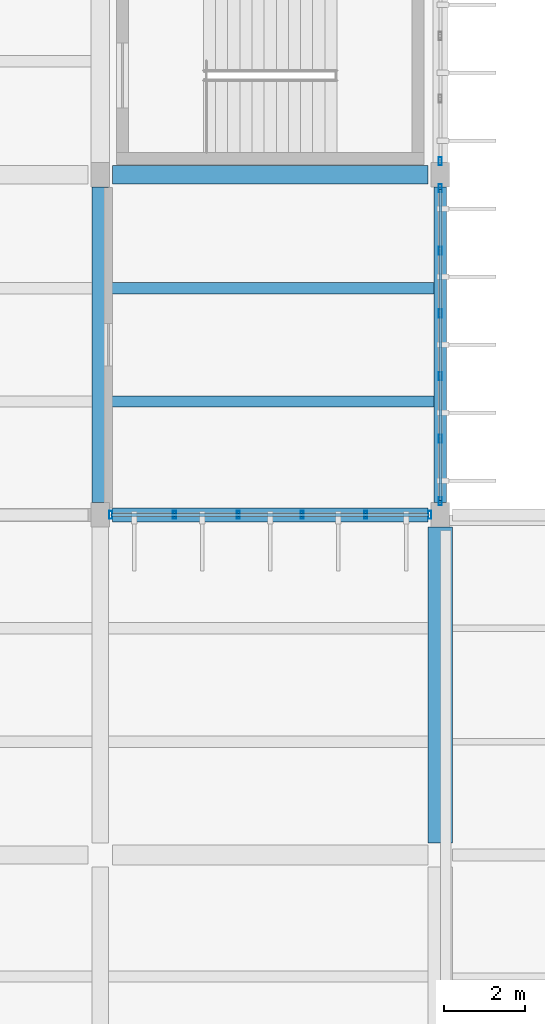
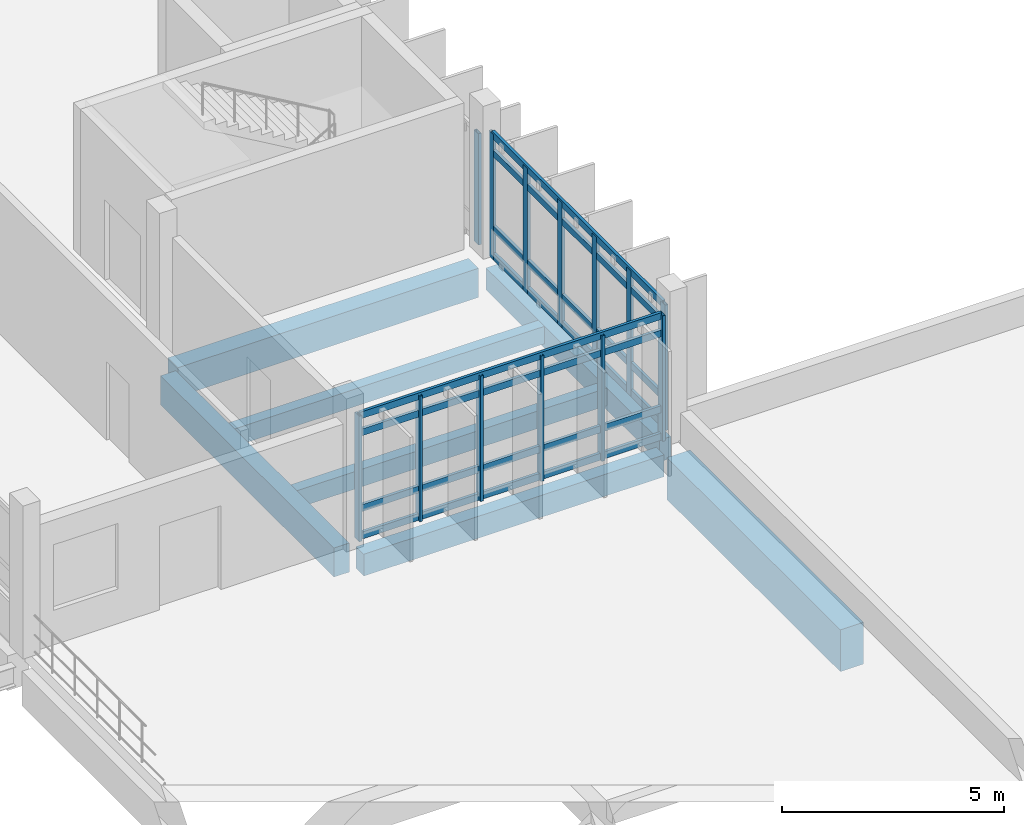
# One storey, part 15 of 107: 21 members, 7 beams, 3 elements without a shape of their own.
"""IFC4 building model written with IfcOpenShell, lengths in metres."""

from ifc_helpers import new_model, si_unit, direction, frame, origin, origin_2d, place, context, subcontext, project, spatial, rectangle, hollow_rectangle, extrude, material, layer, layer_set, material_profile, profile_set, type_object, element, aggregate, save


model = new_model("IFC4")

# Units and contexts
model_context = context("Model", 3, precision=1e-05, world=origin(), true_north=direction((0.0, 1.0)))
body_context = subcontext(model_context, "Body", "Model", "MODEL_VIEW")
ifc_project = project(units=[si_unit("LENGTHUNIT", "METRE"), si_unit("AREAUNIT", "SQUARE_METRE"), si_unit("VOLUMEUNIT", "CUBIC_METRE"), si_unit("PLANEANGLEUNIT", "RADIAN"), si_unit("MASSUNIT", "GRAM", prefix="KILO")], contexts=[model_context])

# Site, building, storey
site_placement = place(None, origin())
site = spatial("IfcSite", under=ifc_project, at=site_placement, CompositionType="ELEMENT")
building_placement = place(site_placement, origin())
building = spatial("IfcBuilding", under=site, at=building_placement, Name="Vireocrest Preparatory School", CompositionType="ELEMENT")
storey_placement = place(building_placement, frame((0.0, 0.0, 13.199951171875)))
storey = spatial("IfcBuildingStorey", under=building, at=storey_placement, Name="L03", CompositionType="ELEMENT", Elevation=13.199951171875)

# Curtain wall, members
ifc_material_1 = material(Name="Thermally broken aluminium EN AW-6063-T6", Category="aluminium")
ifc_layer_1 = layer(ifc_material_1, 0.179931640625)
ifc_layer_set_1 = layer_set([ifc_layer_1], Name="Thermally broken aluminium EN AW-6063-T6")
curtain_wall_type_1 = type_object("IfcCurtainWallType", Name="Library Reading Bay Glazing 7600x4200", PredefinedType="USERDEFINED", material=ifc_layer_set_1)
curtain_wall_1_placement = place(storey_placement, origin())
curtain_wall_1 = element("IfcCurtainWall", 1, at=curtain_wall_1_placement, inside=storey, type_object=curtain_wall_type_1, Name="Curtain Wall CW16 CW_L03_CW16_1010_0354_132", ObjectType="CURTAIN WALL", PredefinedType="USERDEFINED")
ifc_material_profile_1 = material_profile(ifc_material_1, hollow_rectangle(XDim=0.074951171875, YDim=0.199951171875, WallThickness=0.0048828125, at=origin_2d()), Name="ALU 75x200x5")
ifc_profile_set_1 = profile_set([ifc_material_profile_1], Name="Thermally broken aluminium EN AW-6063-T6")
member_type_1 = type_object("IfcMemberType", Name="CW Mullion 75x200x5", PredefinedType="MULLION", material=ifc_profile_set_1)
member_1_placement = place(storey_placement, frame((101.06005859375, 35.39990234375, 0.0), z_axis=(0.0, 0.0, 1.0), x_axis=(1.0, 0.0, 0.0)))
member_1 = element("IfcMember", 2, at=member_1_placement, type_object=member_type_1, Name="CW Mullion ML3 CW_L03_CW16_1010_0354_132-1", PredefinedType="MULLION", context=body_context, shape_type="SweptSolid", body=[
    extrude(hollow_rectangle(XDim=0.074951171875, YDim=0.199951171875, WallThickness=0.0048828125, at=origin_2d()), origin(), (0.0, 0.0, 1.0), 3.445068359375),
])
member_2_placement = place(storey_placement, frame((102.635986328125, 35.39990234375, 0.0), z_axis=(0.0, 0.0, 1.0), x_axis=(1.0, 0.0, 0.0)))
member_2 = element("IfcMember", 3, at=member_2_placement, type_object=member_type_1, Name="CW Mullion ML3 CW_L03_CW16_1010_0354_132-2", PredefinedType="MULLION", context=body_context, shape_type="SweptSolid", body=[
    extrude(hollow_rectangle(XDim=0.074951171875, YDim=0.199951171875, WallThickness=0.0048828125, at=origin_2d()), origin(), (0.0, 0.0, 1.0), 3.445068359375),
])
member_3_placement = place(storey_placement, frame((104.2119140625, 35.39990234375, 0.0), z_axis=(0.0, 0.0, 1.0), x_axis=(1.0, 0.0, 0.0)))
member_3 = element("IfcMember", 4, at=member_3_placement, type_object=member_type_1, Name="CW Mullion ML3 CW_L03_CW16_1010_0354_132-3", PredefinedType="MULLION", context=body_context, shape_type="SweptSolid", body=[
    extrude(hollow_rectangle(XDim=0.074951171875, YDim=0.199951171875, WallThickness=0.0048828125, at=origin_2d()), origin(), (0.0, 0.0, 1.0), 3.445068359375),
])
member_4_placement = place(storey_placement, frame((105.7880859375, 35.39990234375, 0.0), z_axis=(0.0, 0.0, 1.0), x_axis=(1.0, 0.0, 0.0)))
member_4 = element("IfcMember", 5, at=member_4_placement, type_object=member_type_1, Name="CW Mullion ML3 CW_L03_CW16_1010_0354_132-4", PredefinedType="MULLION", context=body_context, shape_type="SweptSolid", body=[
    extrude(hollow_rectangle(XDim=0.074951171875, YDim=0.199951171875, WallThickness=0.0048828125, at=origin_2d()), origin(), (0.0, 0.0, 1.0), 3.445068359375),
])
member_5_placement = place(storey_placement, frame((107.364013671875, 35.39990234375, 0.0), z_axis=(0.0, 0.0, 1.0), x_axis=(1.0, 0.0, 0.0)))
member_5 = element("IfcMember", 6, at=member_5_placement, type_object=member_type_1, Name="CW Mullion ML3 CW_L03_CW16_1010_0354_132-5", PredefinedType="MULLION", context=body_context, shape_type="SweptSolid", body=[
    extrude(hollow_rectangle(XDim=0.074951171875, YDim=0.199951171875, WallThickness=0.0048828125, at=origin_2d()), origin(), (0.0, 0.0, 1.0), 3.445068359375),
])
member_6_placement = place(storey_placement, frame((108.93994140625, 35.39990234375, 0.0), z_axis=(0.0, 0.0, 1.0), x_axis=(1.0, 0.0, 0.0)))
member_6 = element("IfcMember", 7, at=member_6_placement, type_object=member_type_1, Name="CW Mullion ML3 CW_L03_CW16_1010_0354_132-6", PredefinedType="MULLION", context=body_context, shape_type="SweptSolid", body=[
    extrude(hollow_rectangle(XDim=0.074951171875, YDim=0.199951171875, WallThickness=0.0048828125, at=origin_2d()), origin(), (0.0, 0.0, 1.0), 3.445068359375),
])

ifc_layer_2 = layer(ifc_material_1, 0.179931640625)
ifc_layer_set_2 = layer_set([ifc_layer_2], Name="Thermally broken aluminium EN AW-6063-T6")
curtain_wall_type_2 = type_object("IfcCurtainWallType", Name="Teaching Fin Curtain Wall 8400x4200", PredefinedType="USERDEFINED", material=ifc_layer_set_2)
curtain_wall_2_placement = place(storey_placement, origin())
curtain_wall_2 = element("IfcCurtainWall", 8, at=curtain_wall_2_placement, inside=storey, type_object=curtain_wall_type_2, Name="Curtain Wall CW03 CW_L03_CW03_1092_0357_132", ObjectType="CURTAIN WALL", PredefinedType="USERDEFINED")
member_7_placement = place(storey_placement, frame((109.199951171875, 35.735107421875, 0.0), z_axis=(0.0, 0.0, 1.0), x_axis=(1.0, 0.0, 0.0)))
member_7 = element("IfcMember", 9, at=member_7_placement, type_object=member_type_1, Name="CW Mullion ML3 CW_L03_CW03_1092_0357_132-1", PredefinedType="MULLION", context=body_context, shape_type="SweptSolid", body=[
    extrude(hollow_rectangle(XDim=0.074951171875, YDim=0.199951171875, WallThickness=0.0048828125, at=origin_2d()), origin(), (0.0, 0.0, 1.0), 3.445068359375),
])
member_8_placement = place(storey_placement, frame((109.199951171875, 37.281005859375, 0.0), z_axis=(0.0, 0.0, 1.0), x_axis=(1.0, 0.0, 0.0)))
member_8 = element("IfcMember", 10, at=member_8_placement, type_object=member_type_1, Name="CW Mullion ML3 CW_L03_CW03_1092_0357_132-2", PredefinedType="MULLION", context=body_context, shape_type="SweptSolid", body=[
    extrude(hollow_rectangle(XDim=0.074951171875, YDim=0.199951171875, WallThickness=0.0048828125, at=origin_2d()), origin(), (0.0, 0.0, 1.0), 3.445068359375),
])
member_9_placement = place(storey_placement, frame((109.199951171875, 38.826904296875, 0.0), z_axis=(0.0, 0.0, 1.0), x_axis=(1.0, 0.0, 0.0)))
member_9 = element("IfcMember", 11, at=member_9_placement, type_object=member_type_1, Name="CW Mullion ML3 CW_L03_CW03_1092_0357_132-3", PredefinedType="MULLION", context=body_context, shape_type="SweptSolid", body=[
    extrude(hollow_rectangle(XDim=0.074951171875, YDim=0.199951171875, WallThickness=0.0048828125, at=origin_2d()), origin(), (0.0, 0.0, 1.0), 3.445068359375),
])
member_10_placement = place(storey_placement, frame((109.199951171875, 40.373046875, 0.0), z_axis=(0.0, 0.0, 1.0), x_axis=(1.0, 0.0, 0.0)))
member_10 = element("IfcMember", 12, at=member_10_placement, type_object=member_type_1, Name="CW Mullion ML3 CW_L03_CW03_1092_0357_132-4", PredefinedType="MULLION", context=body_context, shape_type="SweptSolid", body=[
    extrude(hollow_rectangle(XDim=0.074951171875, YDim=0.199951171875, WallThickness=0.0048828125, at=origin_2d()), origin(), (0.0, 0.0, 1.0), 3.445068359375),
])
member_11_placement = place(storey_placement, frame((109.199951171875, 41.9189453125, 0.0), z_axis=(0.0, 0.0, 1.0), x_axis=(1.0, 0.0, 0.0)))
member_11 = element("IfcMember", 13, at=member_11_placement, type_object=member_type_1, Name="CW Mullion ML3 CW_L03_CW03_1092_0357_132-5", PredefinedType="MULLION", context=body_context, shape_type="SweptSolid", body=[
    extrude(hollow_rectangle(XDim=0.074951171875, YDim=0.199951171875, WallThickness=0.0048828125, at=origin_2d()), origin(), (0.0, 0.0, 1.0), 3.445068359375),
])
member_12_placement = place(storey_placement, frame((109.199951171875, 43.465087890625, 0.0), z_axis=(0.0, 0.0, 1.0), x_axis=(1.0, 0.0, 0.0)))
member_12 = element("IfcMember", 14, at=member_12_placement, type_object=member_type_1, Name="CW Mullion ML3 CW_L03_CW03_1092_0357_132-6", PredefinedType="MULLION", context=body_context, shape_type="SweptSolid", body=[
    extrude(hollow_rectangle(XDim=0.074951171875, YDim=0.199951171875, WallThickness=0.0048828125, at=origin_2d()), origin(), (0.0, 0.0, 1.0), 3.445068359375),
])

# Curtain wall, member
curtain_wall_3_placement = place(storey_placement, origin())
curtain_wall_3 = element("IfcCurtainWall", 15, at=curtain_wall_3_placement, inside=storey, type_object=curtain_wall_type_2, Name="Curtain Wall CW03 CW_L03_CW03_1092_0441_132", ObjectType="CURTAIN WALL", PredefinedType="USERDEFINED")
member_13_placement = place(storey_placement, frame((109.199951171875, 44.135009765625, 0.0), z_axis=(0.0, 0.0, 1.0), x_axis=(1.0, 0.0, 0.0)))
member_13 = element("IfcMember", 16, at=member_13_placement, type_object=member_type_1, Name="CW Mullion ML3 CW_L03_CW03_1092_0441_132-1", PredefinedType="MULLION", context=body_context, shape_type="SweptSolid", body=[
    extrude(hollow_rectangle(XDim=0.074951171875, YDim=0.199951171875, WallThickness=0.0048828125, at=origin_2d()), origin(), (0.0, 0.0, 1.0), 3.054931640625),
])
aggregate(curtain_wall_3, [member_13])

# Member
ifc_material_profile_2 = material_profile(ifc_material_1, hollow_rectangle(XDim=0.074951171875, YDim=0.18994140625, WallThickness=0.00390625, at=origin_2d()), Name="ALU 75x190x4")
ifc_profile_set_2 = profile_set([ifc_material_profile_2], Name="Thermally broken aluminium EN AW-6063-T6")
member_type_2 = type_object("IfcMemberType", Name="CW Transom 75x190x4", PredefinedType="USERDEFINED", material=ifc_profile_set_2)
member_14_placement = place(storey_placement, frame((101.0849609375, 35.39990234375, 0.094970703125), z_axis=(1.0, 0.0, 0.0), x_axis=(0.0, 1.0, 0.0)))
member_14 = element("IfcMember", 17, at=member_14_placement, type_object=member_type_2, Name="CW Transom TR3 CW_L03_CW16_1010_0354_132-1", ObjectType="TRANSOM", PredefinedType="USERDEFINED", context=body_context, shape_type="SweptSolid", body=[
    extrude(hollow_rectangle(XDim=0.074951171875, YDim=0.18994140625, WallThickness=0.00390625, at=origin_2d()), origin(), (0.0, 0.0, 1.0), 7.830078125),
])

member_15_placement = place(storey_placement, frame((101.0849609375, 35.39990234375, 0.85009765625), z_axis=(1.0, 0.0, 0.0), x_axis=(0.0, 1.0, 0.0)))
member_15 = element("IfcMember", 18, at=member_15_placement, type_object=member_type_2, Name="CW Transom TR3 CW_L03_CW16_1010_0354_132-2", ObjectType="TRANSOM", PredefinedType="USERDEFINED", context=body_context, shape_type="SweptSolid", body=[
    extrude(hollow_rectangle(XDim=0.074951171875, YDim=0.18994140625, WallThickness=0.00390625, at=origin_2d()), origin(), (0.0, 0.0, 1.0), 7.830078125),
])

member_16_placement = place(storey_placement, frame((101.0849609375, 35.39990234375, 2.929931640625), z_axis=(1.0, 0.0, 0.0), x_axis=(0.0, 1.0, 0.0)))
member_16 = element("IfcMember", 19, at=member_16_placement, type_object=member_type_2, Name="CW Transom TR3 CW_L03_CW16_1010_0354_132-3", ObjectType="TRANSOM", PredefinedType="USERDEFINED", context=body_context, shape_type="SweptSolid", body=[
    extrude(hollow_rectangle(XDim=0.074951171875, YDim=0.18994140625, WallThickness=0.00390625, at=origin_2d()), origin(), (0.0, 0.0, 1.0), 7.830078125),
])

member_17_placement = place(storey_placement, frame((101.0849609375, 35.39990234375, 3.405029296875), z_axis=(1.0, 0.0, 0.0), x_axis=(0.0, 1.0, 0.0)))
member_17 = element("IfcMember", 20, at=member_17_placement, type_object=member_type_2, Name="CW Transom TR3 CW_L03_CW16_1010_0354_132-4", ObjectType="TRANSOM", PredefinedType="USERDEFINED", context=body_context, shape_type="SweptSolid", body=[
    extrude(hollow_rectangle(XDim=0.074951171875, YDim=0.18994140625, WallThickness=0.00390625, at=origin_2d()), origin(), (0.0, 0.0, 1.0), 7.830078125),
])

aggregate(curtain_wall_1, [member_1, member_2, member_3, member_4, member_5, member_6, member_14, member_15, member_16, member_17])

member_18_placement = place(storey_placement, frame((109.199951171875, 35.760009765625, 0.094970703125), z_axis=(0.0, 1.0, 0.0), x_axis=(-1.0, 0.0, 0.0)))
member_18 = element("IfcMember", 21, at=member_18_placement, type_object=member_type_2, Name="CW Transom TR3 CW_L03_CW03_1092_0357_132-1", ObjectType="TRANSOM", PredefinedType="USERDEFINED", context=body_context, shape_type="SweptSolid", body=[
    extrude(hollow_rectangle(XDim=0.074951171875, YDim=0.18994140625, WallThickness=0.00390625, at=origin_2d()), origin(), (0.0, 0.0, 1.0), 7.679931640625),
])

member_19_placement = place(storey_placement, frame((109.199951171875, 35.760009765625, 0.85009765625), z_axis=(0.0, 1.0, 0.0), x_axis=(-1.0, 0.0, 0.0)))
member_19 = element("IfcMember", 22, at=member_19_placement, type_object=member_type_2, Name="CW Transom TR3 CW_L03_CW03_1092_0357_132-2", ObjectType="TRANSOM", PredefinedType="USERDEFINED", context=body_context, shape_type="SweptSolid", body=[
    extrude(hollow_rectangle(XDim=0.074951171875, YDim=0.18994140625, WallThickness=0.00390625, at=origin_2d()), origin(), (0.0, 0.0, 1.0), 7.679931640625),
])

member_20_placement = place(storey_placement, frame((109.199951171875, 35.760009765625, 2.929931640625), z_axis=(0.0, 1.0, 0.0), x_axis=(-1.0, 0.0, 0.0)))
member_20 = element("IfcMember", 23, at=member_20_placement, type_object=member_type_2, Name="CW Transom TR3 CW_L03_CW03_1092_0357_132-3", ObjectType="TRANSOM", PredefinedType="USERDEFINED", context=body_context, shape_type="SweptSolid", body=[
    extrude(hollow_rectangle(XDim=0.074951171875, YDim=0.18994140625, WallThickness=0.00390625, at=origin_2d()), origin(), (0.0, 0.0, 1.0), 7.679931640625),
])

member_21_placement = place(storey_placement, frame((109.199951171875, 35.760009765625, 3.405029296875), z_axis=(0.0, 1.0, 0.0), x_axis=(-1.0, 0.0, 0.0)))
member_21 = element("IfcMember", 24, at=member_21_placement, type_object=member_type_2, Name="CW Transom TR3 CW_L03_CW03_1092_0357_132-4", ObjectType="TRANSOM", PredefinedType="USERDEFINED", context=body_context, shape_type="SweptSolid", body=[
    extrude(hollow_rectangle(XDim=0.074951171875, YDim=0.18994140625, WallThickness=0.00390625, at=origin_2d()), origin(), (0.0, 0.0, 1.0), 7.679931640625),
])

aggregate(curtain_wall_2, [member_7, member_8, member_9, member_10, member_11, member_12, member_18, member_19, member_20, member_21])

# Beams
ifc_material_2 = material(Name="Concrete 40 MPa", Category="concrete")
ifc_material_profile_3 = material_profile(ifc_material_2, rectangle(XDim=0.300048828125, YDim=0.60009765625, at=origin_2d()), Name="RC 300x600")
ifc_profile_set_3 = profile_set([ifc_material_profile_3], Name="Concrete 40 MPa")
beam_type_1 = type_object("IfcBeamType", Name="RC Classroom Beam 300x600", PredefinedType="BEAM", material=ifc_profile_set_3)
beam_1_placement = place(storey_placement, frame((109.199951171875, 35.699951171875, -0.56005859375), z_axis=(0.0, 1.0, 0.0), x_axis=(-1.0, 0.0, 0.0)))
element("IfcBeam", 25, at=beam_1_placement, inside=storey, type_object=beam_type_1, Name="Primary Girder B03 L03-1166", PredefinedType="BEAM", context=body_context, shape_type="SweptSolid", body=[
    extrude(rectangle(XDim=0.300048828125, YDim=0.60009765625, at=origin_2d()), origin(), (0.0, 0.0, 1.0), 7.800048828125),
])
ifc_material_profile_4 = material_profile(ifc_material_2, rectangle(XDim=0.35009765625, YDim=0.60009765625, at=origin_2d()), Name="RC 350x600")
ifc_profile_set_4 = profile_set([ifc_material_profile_4], Name="Concrete 40 MPa")
beam_type_2 = type_object("IfcBeamType", Name="RC Classroom Girder 350x600", PredefinedType="BEAM", material=ifc_profile_set_4)
beam_2_placement = place(storey_placement, frame((101.10009765625, 35.39990234375, -0.619873046875), z_axis=(1.0, 0.0, 0.0), x_axis=(0.0, 1.0, 0.0)))
element("IfcBeam", 26, at=beam_2_placement, inside=storey, type_object=beam_type_2, Name="Primary Girder B04 L03-1046", PredefinedType="BEAM", context=body_context, shape_type="SweptSolid", body=[
    extrude(rectangle(XDim=0.35009765625, YDim=0.60009765625, at=origin_2d()), origin(), (0.0, 0.0, 1.0), 7.7998046875),
])
ifc_material_profile_5 = material_profile(ifc_material_2, rectangle(XDim=0.60009765625, YDim=1.14990234375, at=origin_2d()), Name="RC 600x1150")
ifc_profile_set_5 = profile_set([ifc_material_profile_5], Name="Concrete 40 MPa")
beam_type_3 = type_object("IfcBeamType", Name="RC Heavy Transfer Girder 600x1150", PredefinedType="BEAM", material=ifc_profile_set_5)
beam_3_placement = place(storey_placement, frame((109.199951171875, 27.300048828125, -0.89501953125), z_axis=(0.0, 1.0, 0.0), x_axis=(-1.0, 0.0, 0.0)))
element("IfcBeam", 27, at=beam_3_placement, inside=storey, type_object=beam_type_3, Name="Primary Girder B20 L03-1165", PredefinedType="BEAM", context=body_context, shape_type="SweptSolid", body=[
    extrude(rectangle(XDim=0.60009765625, YDim=1.14990234375, at=origin_2d()), origin(), (0.0, 0.0, 1.0), 7.800048828125),
])
ifc_material_profile_6 = material_profile(ifc_material_2, rectangle(XDim=0.39990234375, YDim=0.800048828125, at=origin_2d()), Name="RC 400x800")
ifc_profile_set_6 = profile_set([ifc_material_profile_6], Name="Concrete 40 MPa")
beam_type_4 = type_object("IfcBeamType", Name="RC Library Reading Girder 400x800", PredefinedType="BEAM", material=ifc_profile_set_6)
beam_4_placement = place(storey_placement, frame((100.800048828125, 35.699951171875, -0.659912109375), z_axis=(0.0, 1.0, 0.0), x_axis=(-1.0, 0.0, 0.0)))
element("IfcBeam", 28, at=beam_4_placement, inside=storey, type_object=beam_type_4, Name="Primary Girder B10 L03-1155", PredefinedType="BEAM", context=body_context, shape_type="SweptSolid", body=[
    extrude(rectangle(XDim=0.39990234375, YDim=0.800048828125, at=origin_2d()), origin(), (0.0, 0.0, 1.0), 7.800048828125),
])
ifc_material_profile_7 = material_profile(ifc_material_2, rectangle(XDim=0.449951171875, YDim=0.800048828125, at=origin_2d()), Name="RC 450x800")
ifc_profile_set_7 = profile_set([ifc_material_profile_7], Name="Concrete 40 MPa")
beam_type_5 = type_object("IfcBeamType", Name="RC Library Stack Girder 450x800", PredefinedType="BEAM", material=ifc_profile_set_7)
beam_5_placement = place(storey_placement, frame((101.10009765625, 43.800048828125, -0.659912109375), z_axis=(1.0, 0.0, 0.0), x_axis=(0.0, 1.0, 0.0)))
element("IfcBeam", 29, at=beam_5_placement, inside=storey, type_object=beam_type_5, Name="Primary Girder B12 L03-1054", PredefinedType="BEAM", context=body_context, shape_type="SweptSolid", body=[
    extrude(rectangle(XDim=0.449951171875, YDim=0.800048828125, at=origin_2d()), origin(), (0.0, 0.0, 1.0), 7.7998046875),
])
ifc_material_profile_8 = material_profile(ifc_material_2, rectangle(XDim=0.280029296875, YDim=0.47998046875, at=origin_2d()), Name="RC 280x480")
ifc_profile_set_8 = profile_set([ifc_material_profile_8], Name="Concrete 40 MPa")
beam_type_6 = type_object("IfcBeamType", Name="RC Secondary Lab Joist 280x480", PredefinedType="JOIST", material=ifc_profile_set_8)
for number, where, z_axis, x_axis, name in (
    (30, (101.0, 38.199951171875, -0.5), (1.0, 0.0, 0.0), (0.0, 1.0, 0.0), "Secondary Joist J02 L03-1263"),
    (31, (101.0, 41.0, -0.5), (1.0, 0.0, 0.0), (0.0, 1.0, 0.0), "Secondary Joist J02 L03-1264"),
):
    element("IfcBeam", number, at=place(storey_placement, frame(where, z_axis=z_axis, x_axis=x_axis)), inside=storey, type_object=beam_type_6, Name=name, PredefinedType="JOIST", context=body_context, shape_type="SweptSolid", body=[
        extrude(rectangle(XDim=0.280029296875, YDim=0.47998046875, at=origin_2d()), origin(), (0.0, 0.0, 1.0), 8.050048828125),
    ])

save(model, "model.ifc")
